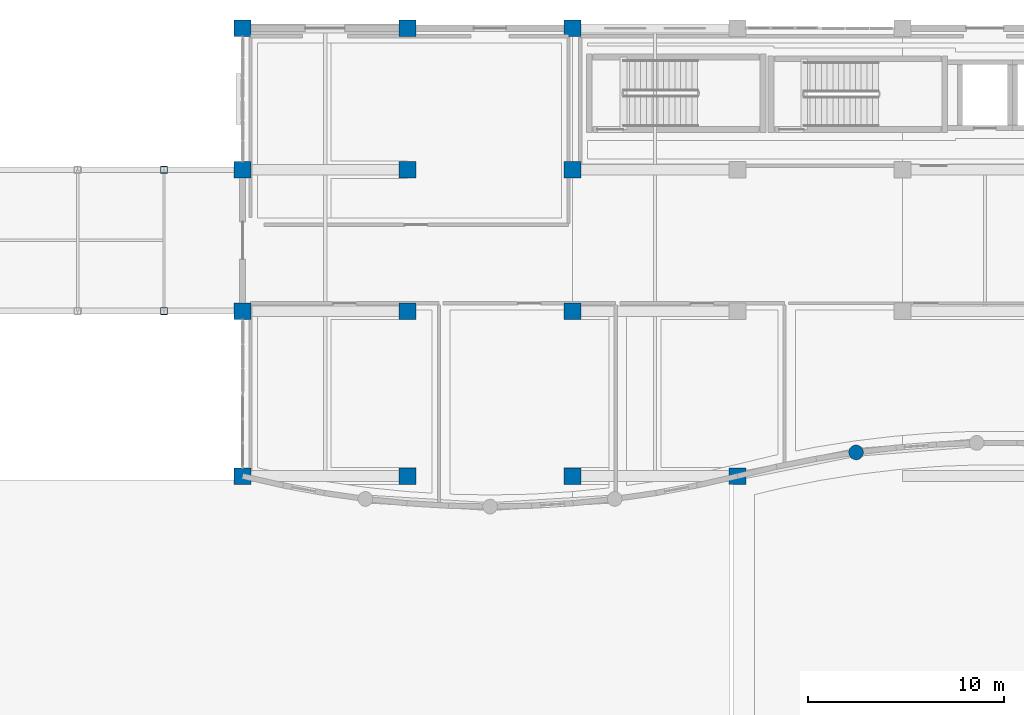
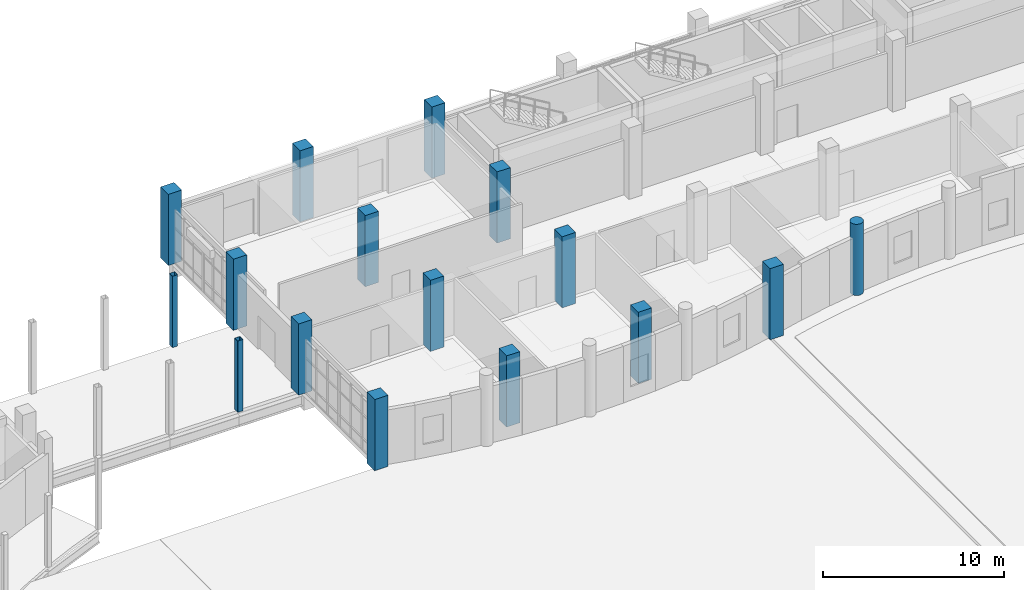
# One storey, part 14 of 97: 16 columns.
"""IFC4 building model written with IfcOpenShell, lengths in metres."""

import ifcopenshell
import ifcopenshell.guid

model = None  # the IFC model being written
_history = None  # IfcOwnerHistory: only IFC2X3 demands one
_inside = {}  # id of a spatial element -> (the spatial element, [elements in it])
_under = {}  # id of a project, library or spatial element -> (it, [spatial elements below it])
_declared = {}  # id of a project -> (the project, [libraries it declares])
_typed = {}  # id of a type object -> (the type object, [elements of that type])
_made_of = {}  # id of a material, layer set ... -> (it, [elements and type objects made of it])


def new_model(schema):
    """Start an empty IFC model of exactly this schema.

    Asked for "IFC4X3", IfcOpenShell would pick the latest addendum, in which some entities
    have other attributes; the version numbers below select the first issue.
    IFC2X3 requires an IfcOwnerHistory on every rooted entity: one is made here for all.
    """
    global model, _history
    if schema == "IFC4X3":
        model = ifcopenshell.file(schema_version=(4, 3, 0, 0))
    else:
        model = ifcopenshell.file(schema=schema)
    _inside.clear()
    _under.clear()
    _declared.clear()
    _typed.clear()
    _made_of.clear()
    _history = None
    if model.schema == "IFC2X3":
        org = make("IfcOrganization", Name="unknown")
        user = make(
            "IfcPersonAndOrganization",
            ThePerson=make("IfcPerson", FamilyName="unknown"),
            TheOrganization=org,
        )
        app = make(
            "IfcApplication",
            ApplicationDeveloper=org,
            Version="unknown",
            ApplicationFullName="unknown",
            ApplicationIdentifier="unknown",
        )
        _history = make(
            "IfcOwnerHistory",
            OwningUser=user,
            OwningApplication=app,
            ChangeAction="ADDED",
            CreationDate=0,
        )
    return model


def make(cls, **values):
    """One entity of the class cls with the attributes given. An attribute that is None is left unset."""
    return model.create_entity(
        cls, **{name: value for name, value in values.items() if value is not None}
    )


def rooted(cls, **values):
    """An entity with a GlobalId (a new one), such as an element, a storey or a relation."""
    return make(cls, GlobalId=ifcopenshell.guid.new(), OwnerHistory=_history, **values)


def si_unit(unit_type, name, prefix=None):
    """IfcSIUnit, for example si_unit("LENGTHUNIT", "METRE", prefix="MILLI")."""
    return make("IfcSIUnit", UnitType=unit_type, Prefix=prefix, Name=name)


def assignment(units):
    """IfcUnitAssignment: the units of a project."""
    return None if units is None else make("IfcUnitAssignment", Units=units)


def point(xyz):
    """IfcCartesianPoint."""
    return None if xyz is None else make("IfcCartesianPoint", Coordinates=xyz)


def direction(xyz):
    """IfcDirection."""
    return None if xyz is None else make("IfcDirection", DirectionRatios=xyz)


def frame(location, z_axis=None, x_axis=None):
    """IfcAxis2Placement3D, a coordinate frame: its origin and axes. An axis left out is left unset."""
    return make(
        "IfcAxis2Placement3D",
        Location=point(location),
        Axis=direction(z_axis),
        RefDirection=direction(x_axis),
    )


def frame_2d(location, x_axis=None):
    """IfcAxis2Placement2D, a coordinate frame in the plane: its origin and x axis."""
    return make(
        "IfcAxis2Placement2D", Location=point(location), RefDirection=direction(x_axis)
    )


def origin():
    """The frame at (0, 0, 0) with its axes left unset."""
    return frame((0.0, 0.0, 0.0))


def origin_2d():
    """The frame at (0, 0) in the plane with its x axis left unset."""
    return frame_2d((0.0, 0.0))


def place(relative_to, where):
    """IfcLocalPlacement: puts the frame where relative to a parent placement (None: the world)."""
    return make(
        "IfcLocalPlacement", PlacementRelTo=relative_to, RelativePlacement=where
    )


def context(
    kind, dimensions, precision=None, world=None, true_north=None, identifier=None
):
    """IfcGeometricRepresentationContext, for example the 3D "Model" context."""
    return make(
        "IfcGeometricRepresentationContext",
        ContextIdentifier=identifier,
        ContextType=kind,
        CoordinateSpaceDimension=dimensions,
        Precision=precision,
        WorldCoordinateSystem=world,
        TrueNorth=true_north,
    )


def subcontext(parent, identifier, kind, view, scale=None):
    """IfcGeometricRepresentationSubContext, for example "Body" below "Model"."""
    return make(
        "IfcGeometricRepresentationSubContext",
        ContextIdentifier=identifier,
        ContextType=kind,
        ParentContext=parent,
        TargetScale=scale,
        TargetView=view,
    )


def project(units=None, contexts=None):
    """IfcProject with its units and contexts."""
    return rooted(
        "IfcProject",
        Name="project",
        RepresentationContexts=contexts,
        UnitsInContext=assignment(units),
    )


def spatial(cls, under=None, at=None, **own):
    """A site, building, storey or space (cls), placed at a placement, below another one or the project."""
    s = rooted(cls, ObjectPlacement=at, **own)
    if under is not None:
        _under.setdefault(under.id(), (under, []))[1].append(s)
    return s


def profile(cls, at=None, kind="AREA", **sizes):
    """A parametric profile (cls). Its sizes go by their IFC names, for example OverallWidth=200.0."""
    return make(cls, ProfileType=kind, Position=at, **sizes)


def rectangle(**sizes):
    """IfcRectangleProfileDef."""
    return profile("IfcRectangleProfileDef", **sizes)


def hollow_rectangle(**sizes):
    """IfcRectangleHollowProfileDef."""
    return profile("IfcRectangleHollowProfileDef", **sizes)


def circle(**sizes):
    """IfcCircleProfileDef."""
    return profile("IfcCircleProfileDef", **sizes)


def extrude(swept, where, along, depth):
    """IfcExtrudedAreaSolid: the profile swept, set in the frame where, extruded along a direction by depth."""
    return make(
        "IfcExtrudedAreaSolid",
        SweptArea=swept,
        Position=where,
        ExtrudedDirection=direction(along),
        Depth=depth,
    )


def shape(context_of_items, identifier, shape_type, items):
    """IfcShapeRepresentation: the items that make up one representation, for example the "Body"."""
    return make(
        "IfcShapeRepresentation",
        ContextOfItems=context_of_items,
        RepresentationIdentifier=identifier,
        RepresentationType=shape_type,
        Items=items,
    )


def material(Name=None, Category=None):
    """IfcMaterial."""
    return make("IfcMaterial", Name=Name, Category=Category)


def material_profile(
    of_material, cross_section, Name=None, Category=None, Priority=None
):
    """IfcMaterialProfile: a cross section and its material."""
    return make(
        "IfcMaterialProfile",
        Name=Name,
        Material=of_material,
        Profile=cross_section,
        Priority=Priority,
        Category=Category,
    )


def profile_set(profiles, Name=None, composite=None):
    """IfcMaterialProfileSet."""
    return make(
        "IfcMaterialProfileSet",
        Name=Name,
        MaterialProfiles=profiles,
        CompositeProfile=composite,
    )


def made_of(thing, what):
    """Note that an element or type object is made of a material, layer set ...; save() writes the relation."""
    if what is not None:
        _made_of.setdefault(what.id(), (what, []))[1].append(thing)
    return thing


def type_object(cls, material=None, **own):
    """A type object (cls), such as IfcWallType, which elements share."""
    return made_of(rooted(cls, **own), material)


def element(
    cls,
    number,
    at=None,
    inside=None,
    cuts=None,
    type_object=None,
    material=None,
    context=None,
    identifier="Body",
    shape_type=None,
    held_by="IfcProductDefinitionShape",
    body=None,
    shapes=None,
    **own,
):
    """One element of the class cls, such as IfcWall. Its Tag is "e" and its number.

    at: its placement. inside: the storey or other place that contains it. cuts: it is an
    opening in that element (IfcRelVoidsElement). A single representation is given by context,
    identifier, shape_type and body (its items); several are given by shapes. held_by: the class
    of the entity that holds the representations. save() writes the other relations.
    """
    e = rooted(cls, Tag="e%d" % number, ObjectPlacement=at, **own)
    if body is not None:
        shapes = [shape(context, identifier, shape_type, body)]
    if shapes is not None:
        e.Representation = make(held_by, Representations=shapes)
    if inside is not None:
        _inside.setdefault(inside.id(), (inside, []))[1].append(e)
    if cuts is not None:
        rooted(
            "IfcRelVoidsElement", RelatingBuildingElement=cuts, RelatedOpeningElement=e
        )
    if type_object is not None:
        _typed.setdefault(type_object.id(), (type_object, []))[1].append(e)
    return made_of(e, material)


def aggregate(whole, parts):
    """IfcRelAggregates: a whole, such as a stair, and the parts it consists of."""
    return rooted("IfcRelAggregates", RelatingObject=whole, RelatedObjects=parts)


def save(model, path):
    """Write the relations noted so far, then the file.

    IfcRelAggregates (storeys below a building ...), IfcRelContainedInSpatialStructure (elements
    in a storey), IfcRelDefinesByType, IfcRelAssociatesMaterial and IfcRelDeclares: one each for
    every whole, place, type object, material and project.
    """
    for whole, parts in _under.values():
        aggregate(whole, parts)
    for where, things in _inside.values():
        rooted(
            "IfcRelContainedInSpatialStructure",
            RelatedElements=things,
            RelatingStructure=where,
        )
    for kind, things in _typed.values():
        rooted("IfcRelDefinesByType", RelatedObjects=things, RelatingType=kind)
    for what, things in _made_of.values():
        rooted("IfcRelAssociatesMaterial", RelatedObjects=things, RelatingMaterial=what)
    for by, libraries in _declared.values():
        rooted("IfcRelDeclares", RelatingContext=by, RelatedDefinitions=libraries)
    model.write(path)


model = new_model("IFC4")

# Units and contexts
model_context = context("Model", 3, precision=1e-05, world=origin(), true_north=direction((0.0, 1.0)))
body_context = subcontext(model_context, "Body", "Model", "MODEL_VIEW")
ifc_project = project(units=[si_unit("LENGTHUNIT", "METRE"), si_unit("AREAUNIT", "SQUARE_METRE"), si_unit("VOLUMEUNIT", "CUBIC_METRE"), si_unit("PLANEANGLEUNIT", "RADIAN"), si_unit("MASSUNIT", "GRAM", prefix="KILO")], contexts=[model_context])

# Site, building, storey
site_placement = place(None, origin())
site = spatial("IfcSite", under=ifc_project, at=site_placement, CompositionType="ELEMENT")
building_placement = place(site_placement, origin())
building = spatial("IfcBuilding", under=site, at=building_placement, Name="Kisaragi Civic Commons", CompositionType="ELEMENT")
storey_placement = place(building_placement, origin())
storey = spatial("IfcBuildingStorey", under=building, at=storey_placement, Name="L00", CompositionType="ELEMENT", Elevation=0.0)

# Columns
ifc_material_1 = material(Name="Concrete Fc36", Category="concrete")
ifc_material_profile_1 = material_profile(ifc_material_1, rectangle(XDim=0.85009765625, YDim=0.85009765625, at=origin_2d()), Name="RC-850x850", Category="concrete")
ifc_profile_set_1 = profile_set([ifc_material_profile_1], Name="Concrete Fc36")
column_type_1 = type_object("IfcColumnType", Name="C-01", PredefinedType="COLUMN", material=ifc_profile_set_1)
for number, where, z_axis, x_axis, name in (
    (1, (80.39990234375, 96.0, 0.0), (0.0, 0.0, 1.0), (1.0, 0.0, 0.0), "L00 column C-01 (80.4,96.0)"),
    (2, (80.39990234375, 104.39990234375, 0.0), (0.0, 0.0, 1.0), (1.0, 0.0, 0.0), "L00 column C-01 (80.4,104.4)"),
    (3, (80.39990234375, 111.60009765625, 0.0), (0.0, 0.0, 1.0), (1.0, 0.0, 0.0), "L00 column C-01 (80.4,111.6)"),
    (4, (88.800048828125, 96.0, 0.0), (0.0, 0.0, 1.0), (1.0, 0.0, 0.0), "L00 column C-01 (88.8,96.0)"),
    (5, (88.800048828125, 104.39990234375, 0.0), (0.0, 0.0, 1.0), (1.0, 0.0, 0.0), "L00 column C-01 (88.8,104.4)"),
    (6, (88.800048828125, 111.60009765625, 0.0), (0.0, 0.0, 1.0), (1.0, 0.0, 0.0), "L00 column C-01 (88.8,111.6)"),
):
    element("IfcColumn", number, at=place(storey_placement, frame(where, z_axis=z_axis, x_axis=x_axis)), inside=storey, type_object=column_type_1, Name=name, PredefinedType="COLUMN", context=body_context, shape_type="SweptSolid", body=[
        extrude(rectangle(XDim=0.85009765625, YDim=0.85009765625, at=origin_2d()), origin(), (0.0, 0.0, 1.0), 4.800048828125),
    ])
ifc_material_profile_2 = material_profile(ifc_material_1, rectangle(XDim=0.85009765625, YDim=0.85009765625, at=origin_2d()), Name="RC-850x850", Category="concrete")
ifc_profile_set_2 = profile_set([ifc_material_profile_2], Name="Concrete Fc36")
column_type_2 = type_object("IfcColumnType", Name="C-05", PredefinedType="COLUMN", material=ifc_profile_set_2)
for number, where, z_axis, x_axis, name in (
    (7, (72.0, 96.0, 0.0), (0.0, 0.0, 1.0), (1.0, 0.0, 0.0), "L00 column C-05 (72.0,96.0)"),
    (8, (72.0, 104.39990234375, 0.0), (0.0, 0.0, 1.0), (1.0, 0.0, 0.0), "L00 column C-05 (72.0,104.4)"),
    (9, (72.0, 111.60009765625, 0.0), (0.0, 0.0, 1.0), (1.0, 0.0, 0.0), "L00 column C-05 (72.0,111.6)"),
    (10, (72.0, 118.800048828125, 0.0), (0.0, 0.0, 1.0), (1.0, 0.0, 0.0), "L00 column C-05 (72.0,118.8)"),
    (11, (80.39990234375, 118.800048828125, 0.0), (0.0, 0.0, 1.0), (1.0, 0.0, 0.0), "L00 column C-05 (80.4,118.8)"),
    (12, (88.800048828125, 118.800048828125, 0.0), (0.0, 0.0, 1.0), (1.0, 0.0, 0.0), "L00 column C-05 (88.8,118.8)"),
    (13, (97.199951171875, 96.0, 0.0), (0.0, 0.0, 1.0), (1.0, 0.0, 0.0), "L00 column C-05 (97.2,96.0)"),
):
    element("IfcColumn", number, at=place(storey_placement, frame(where, z_axis=z_axis, x_axis=x_axis)), inside=storey, type_object=column_type_2, Name=name, PredefinedType="COLUMN", context=body_context, shape_type="SweptSolid", body=[
        extrude(rectangle(XDim=0.85009765625, YDim=0.85009765625, at=origin_2d()), origin(), (0.0, 0.0, 1.0), 4.800048828125),
    ])
ifc_material_2 = material(Name="Steel BCR295", Category="steel")
ifc_material_profile_3 = material_profile(ifc_material_2, hollow_rectangle(XDim=0.35009765625, YDim=0.35009765625, WallThickness=0.011962890625, InnerFilletRadius=0.011962890625, OuterFilletRadius=0.02392578125, at=origin_2d()), Name="BCR-350x350x12", Category="steel")
ifc_profile_set_3 = profile_set([ifc_material_profile_3], Name="Steel BCR295")
column_type_3 = type_object("IfcColumnType", Name="C-13", PredefinedType="COLUMN", material=ifc_profile_set_3)
for number, where, z_axis, x_axis, name in (
    (14, (68.0, 104.39990234375, 0.0), (0.0, 0.0, 1.0), (1.0, 0.0, 0.0), "L00 column C-13 (68.0,104.4)"),
    (15, (68.0, 111.60009765625, 0.0), (0.0, 0.0, 1.0), (1.0, 0.0, 0.0), "L00 column C-13 (68.0,111.6)"),
):
    element("IfcColumn", number, at=place(storey_placement, frame(where, z_axis=z_axis, x_axis=x_axis)), inside=storey, type_object=column_type_3, Name=name, PredefinedType="COLUMN", context=body_context, shape_type="SweptSolid", body=[
        extrude(hollow_rectangle(XDim=0.35009765625, YDim=0.35009765625, WallThickness=0.011962890625, InnerFilletRadius=0.011962890625, OuterFilletRadius=0.02392578125, at=origin_2d()), origin(), (0.0, 0.0, 1.0), 4.800048828125),
    ])
ifc_material_profile_4 = material_profile(ifc_material_1, circle(Radius=0.375, at=origin_2d()), Name="RC-D750", Category="concrete")
ifc_profile_set_4 = profile_set([ifc_material_profile_4], Name="Concrete Fc36")
column_type_4 = type_object("IfcColumnType", Name="C-24", PredefinedType="COLUMN", material=ifc_profile_set_4)
column_placement = place(storey_placement, frame((103.236572265625, 97.20751953125, 0.0), z_axis=(0.0, 0.0, 1.0), x_axis=(1.0, 0.0, 0.0)))
element("IfcColumn", 16, at=column_placement, inside=storey, type_object=column_type_4, Name="L00 column C-24 (103.2,97.2)", PredefinedType="COLUMN", context=body_context, shape_type="SweptSolid", body=[
    extrude(circle(Radius=0.375, at=origin_2d()), origin(), (0.0, 0.0, 1.0), 4.800048828125),
])

save(model, "model.ifc")
